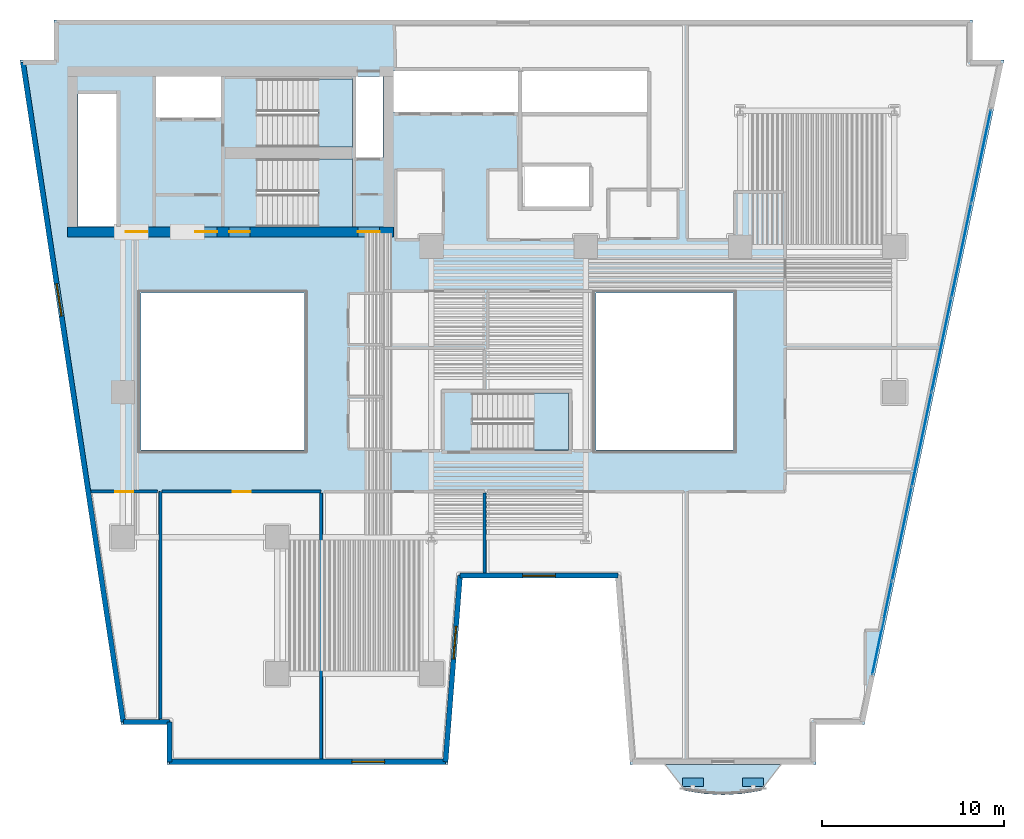
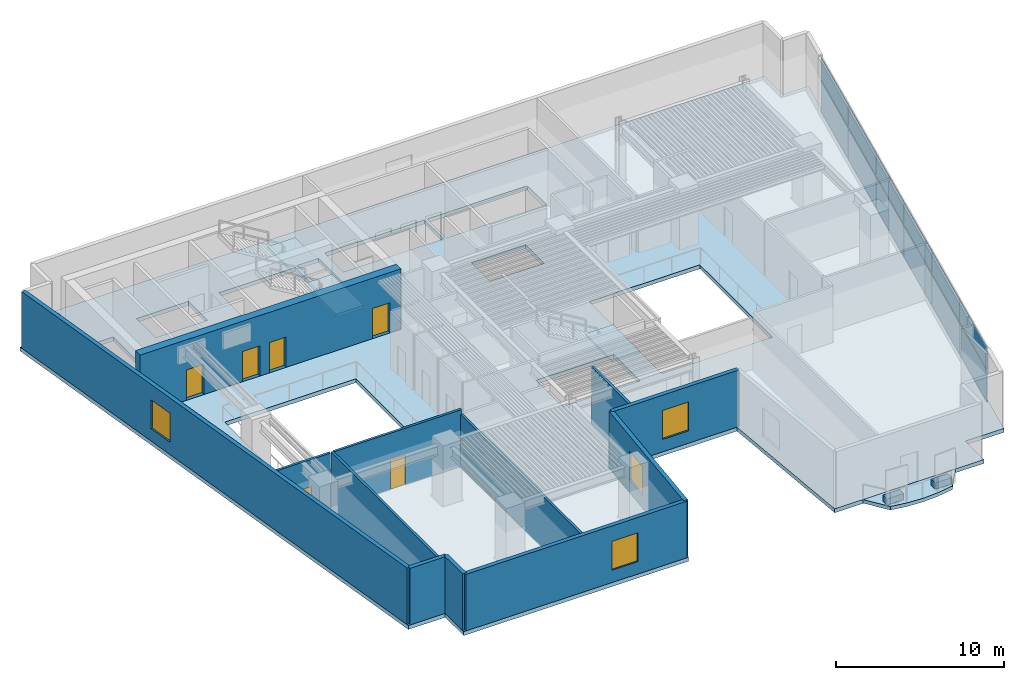
# One storey, part 3 of 12: 14 plates, 12 walls, 6 doors, 5 slabs, 4 windows, 10 openings, 4 elements without a shape of their own.
"""IFC4 building model written with IfcOpenShell, lengths in metres."""

from ifc_helpers import new_model, si_unit, direction, frame, frame_2d, origin, origin_2d, place, context, subcontext, project, spatial, polyline, rectangle, outline, extrude, material, layer, layer_set, type_object, element, fill, aggregate, save


model = new_model("IFC4")

# Units and contexts
model_context = context("Model", 3, precision=1e-05, world=origin(), true_north=direction((0.0, 1.0)))
body_context = subcontext(model_context, "Body", "Model", "MODEL_VIEW")
ifc_project = project(units=[si_unit("LENGTHUNIT", "METRE"), si_unit("AREAUNIT", "SQUARE_METRE"), si_unit("VOLUMEUNIT", "CUBIC_METRE"), si_unit("PLANEANGLEUNIT", "RADIAN"), si_unit("MASSUNIT", "GRAM", prefix="KILO")], contexts=[model_context])

# Site, building, storey
site_placement = place(None, origin())
site = spatial("IfcSite", under=ifc_project, at=site_placement, CompositionType="ELEMENT")
building_placement = place(site_placement, origin())
building = spatial("IfcBuilding", under=site, at=building_placement, Name="Caeloran Harvest Quay", CompositionType="ELEMENT")
storey_placement = place(building_placement, frame((0.0, 0.0, 88.60009765625)))
storey = spatial("IfcBuildingStorey", under=building, at=storey_placement, Name="L20", CompositionType="ELEMENT", Elevation=88.60009765625)

# Slab
ifc_material_1 = material(Name="Concrete C50/60", Category="concrete")
ifc_layer_1 = layer(ifc_material_1, 0.260009765625, Name="Concrete C50/60")
ifc_layer_set_1 = layer_set([ifc_layer_1], Name="Concrete C50/60")
slab_type_1 = type_object("IfcSlabType", Name="BALCONY-BL-260", PredefinedType="FLOOR", material=ifc_layer_set_1)
slab_1_placement = place(storey_placement, frame((0.0, 0.0, -0.260009765625)))
element("IfcSlab", 1, at=slab_1_placement, inside=storey, type_object=slab_type_1, Name="L20 Scalloped Cantilevered Planted Balcony Slab", PredefinedType="FLOOR", context=body_context, shape_type="SweptSolid", body=[
    extrude(outline(polyline([(43.686767578125, 1.053466796875), (42.622802734375, 0.880126953125), (41.55859375, 0.81689453125), (40.494384765625, 0.880126953125), (39.43017578125, 1.053466796875), (38.380615234375, 2.5), (44.736572265625, 2.5), (43.686767578125, 1.053466796875)])), origin(), (0.0, 0.0, 1.0), 0.260009765625),
])

# Curtain wall, plates
ifc_material_2 = material(Name="Aluminium 6063-T6 and Low-E Glazing", Category="aluminium")
ifc_layer_2 = layer(ifc_material_2, 0.199951171875, Name="Aluminium 6063-T6 and Low-E Glazing")
ifc_layer_set_2 = layer_set([ifc_layer_2], Name="Aluminium 6063-T6 and Low-E Glazing")
curtain_wall_type = type_object("IfcCurtainWallType", Name="CW-SYS-CW-2", PredefinedType="USERDEFINED", material=ifc_layer_set_2)
curtain_wall_placement = place(storey_placement, origin())
curtain_wall = element("IfcCurtainWall", 2, at=curtain_wall_placement, inside=storey, type_object=curtain_wall_type, Name="L20 Unitised Curtain Wall CW-2 Run 9", ObjectType="CURTAIN_WALL", PredefinedType="USERDEFINED")
ifc_material_3 = material(Name="Low-E Double Glazed Vision Glass Unit", Category="glass")
ifc_layer_3 = layer(ifc_material_3, 0.035888671875, Name="Low-E Double Glazed Vision Glass Unit")
ifc_layer_set_3 = layer_set([ifc_layer_3], Name="Low-E Double Glazed Vision Glass Unit")
plate_type_1 = type_object("IfcPlateType", Name="CW-VISION-PANEL", PredefinedType="CURTAIN_PANEL", material=ifc_layer_set_3)
plate_1_placement = place(storey_placement, frame((55.780029296875, 35.993408203125, 0.080078125), z_axis=(0.0, 0.0, 1.0), x_axis=(-0.205582960081, -0.978639691881, 0.0)))
plate_1 = element("IfcPlate", 3, at=plate_1_placement, type_object=plate_type_1, Name="CW-2 panel 1.1", PredefinedType="CURTAIN_PANEL", context=body_context, shape_type="SweptSolid", body=[
    extrude(rectangle(XDim=5.19873046875, YDim=0.035888671875, at=origin_2d()), origin(), (0.0, 0.0, 1.0), 2.280029296875),
])
plate_2_placement = place(storey_placement, frame((55.780029296875, 35.993408203125, 2.43994140625), z_axis=(0.0, 0.0, 1.0), x_axis=(-0.205582960081, -0.978639691881, 0.0)))
plate_2 = element("IfcPlate", 4, at=plate_2_placement, type_object=plate_type_1, Name="CW-2 panel 1.2", PredefinedType="CURTAIN_PANEL", context=body_context, shape_type="SweptSolid", body=[
    extrude(rectangle(XDim=5.19873046875, YDim=0.035888671875, at=origin_2d()), origin(), (0.0, 0.0, 1.0), 1.594970703125),
])
plate_3_placement = place(storey_placement, frame((54.690673828125, 30.807861328125, 0.080078125), z_axis=(0.0, 0.0, 1.0), x_axis=(-0.205582960081, -0.978639691881, 0.0)))
plate_3 = element("IfcPlate", 5, at=plate_3_placement, type_object=plate_type_1, Name="CW-2 panel 2.1", PredefinedType="CURTAIN_PANEL", context=body_context, shape_type="SweptSolid", body=[
    extrude(rectangle(XDim=5.23876953125, YDim=0.035888671875, at=origin_2d()), origin(), (0.0, 0.0, 1.0), 2.280029296875),
])
plate_4_placement = place(storey_placement, frame((54.690673828125, 30.807861328125, 2.43994140625), z_axis=(0.0, 0.0, 1.0), x_axis=(-0.205582960081, -0.978639691881, 0.0)))
plate_4 = element("IfcPlate", 6, at=plate_4_placement, type_object=plate_type_1, Name="CW-2 panel 2.2", PredefinedType="CURTAIN_PANEL", context=body_context, shape_type="SweptSolid", body=[
    extrude(rectangle(XDim=5.23876953125, YDim=0.035888671875, at=origin_2d()), origin(), (0.0, 0.0, 1.0), 1.594970703125),
])
plate_5_placement = place(storey_placement, frame((53.59716796875, 25.6025390625, 0.080078125), z_axis=(0.0, 0.0, 1.0), x_axis=(-0.205582960081, -0.978639691881, 0.0)))
plate_5 = element("IfcPlate", 7, at=plate_5_placement, type_object=plate_type_1, Name="CW-2 panel 3.1", PredefinedType="CURTAIN_PANEL", context=body_context, shape_type="SweptSolid", body=[
    extrude(rectangle(XDim=5.23876953125, YDim=0.035888671875, at=origin_2d()), origin(), (0.0, 0.0, 1.0), 2.280029296875),
])
plate_6_placement = place(storey_placement, frame((53.59716796875, 25.6025390625, 2.43994140625), z_axis=(0.0, 0.0, 1.0), x_axis=(-0.205582960081, -0.978639691881, 0.0)))
plate_6 = element("IfcPlate", 8, at=plate_6_placement, type_object=plate_type_1, Name="CW-2 panel 3.2", PredefinedType="CURTAIN_PANEL", context=body_context, shape_type="SweptSolid", body=[
    extrude(rectangle(XDim=5.23876953125, YDim=0.035888671875, at=origin_2d()), origin(), (0.0, 0.0, 1.0), 1.594970703125),
])
plate_7_placement = place(storey_placement, frame((52.503662109375, 20.3974609375, 0.080078125), z_axis=(0.0, 0.0, 1.0), x_axis=(-0.205582960081, -0.978639691881, 0.0)))
plate_7 = element("IfcPlate", 9, at=plate_7_placement, type_object=plate_type_1, Name="CW-2 panel 4.1", PredefinedType="CURTAIN_PANEL", context=body_context, shape_type="SweptSolid", body=[
    extrude(rectangle(XDim=5.23876953125, YDim=0.035888671875, at=origin_2d()), origin(), (0.0, 0.0, 1.0), 2.280029296875),
])
plate_8_placement = place(storey_placement, frame((52.503662109375, 20.3974609375, 2.43994140625), z_axis=(0.0, 0.0, 1.0), x_axis=(-0.205582960081, -0.978639691881, 0.0)))
plate_8 = element("IfcPlate", 10, at=plate_8_placement, type_object=plate_type_1, Name="CW-2 panel 4.2", PredefinedType="CURTAIN_PANEL", context=body_context, shape_type="SweptSolid", body=[
    extrude(rectangle(XDim=5.23876953125, YDim=0.035888671875, at=origin_2d()), origin(), (0.0, 0.0, 1.0), 1.594970703125),
])
plate_9_placement = place(storey_placement, frame((51.41015625, 15.192138671875, 0.080078125), z_axis=(0.0, 0.0, 1.0), x_axis=(-0.205582960081, -0.978639691881, 0.0)))
plate_9 = element("IfcPlate", 11, at=plate_9_placement, type_object=plate_type_1, Name="CW-2 panel 5.1", PredefinedType="CURTAIN_PANEL", context=body_context, shape_type="SweptSolid", body=[
    extrude(rectangle(XDim=5.23876953125, YDim=0.035888671875, at=origin_2d()), origin(), (0.0, 0.0, 1.0), 2.280029296875),
])
plate_10_placement = place(storey_placement, frame((51.41015625, 15.192138671875, 2.43994140625), z_axis=(0.0, 0.0, 1.0), x_axis=(-0.205582960081, -0.978639691881, 0.0)))
plate_10 = element("IfcPlate", 12, at=plate_10_placement, type_object=plate_type_1, Name="CW-2 panel 5.2", PredefinedType="CURTAIN_PANEL", context=body_context, shape_type="SweptSolid", body=[
    extrude(rectangle(XDim=5.23876953125, YDim=0.035888671875, at=origin_2d()), origin(), (0.0, 0.0, 1.0), 1.594970703125),
])
plate_11_placement = place(storey_placement, frame((50.321044921875, 10.006591796875, 0.080078125), z_axis=(0.0, 0.0, 1.0), x_axis=(-0.205582960081, -0.978639691881, 0.0)))
plate_11 = element("IfcPlate", 13, at=plate_11_placement, type_object=plate_type_1, Name="CW-2 panel 6.1", PredefinedType="CURTAIN_PANEL", context=body_context, shape_type="SweptSolid", body=[
    extrude(rectangle(XDim=5.19873046875, YDim=0.035888671875, at=origin_2d()), origin(), (0.0, 0.0, 1.0), 2.280029296875),
])
plate_12_placement = place(storey_placement, frame((50.321044921875, 10.006591796875, 2.43994140625), z_axis=(0.0, 0.0, 1.0), x_axis=(-0.205582960081, -0.978639691881, 0.0)))
plate_12 = element("IfcPlate", 14, at=plate_12_placement, type_object=plate_type_1, Name="CW-2 panel 6.2", PredefinedType="CURTAIN_PANEL", context=body_context, shape_type="SweptSolid", body=[
    extrude(rectangle(XDim=5.19873046875, YDim=0.035888671875, at=origin_2d()), origin(), (0.0, 0.0, 1.0), 1.594970703125),
])
aggregate(curtain_wall, [plate_1, plate_2, plate_3, plate_4, plate_5, plate_6, plate_7, plate_8, plate_9, plate_10, plate_11, plate_12])

# Plates
ifc_material_4 = material(Name="Precast concrete C50/60", Category="concrete")
ifc_layer_4 = layer(ifc_material_4, 0.449951171875, Name="Precast concrete C50/60")
ifc_layer_set_4 = layer_set([ifc_layer_4], Name="Precast concrete C50/60")
plate_type_2 = type_object("IfcPlateType", Name="PLANTER-TROUGH-450", PredefinedType="USERDEFINED", material=ifc_layer_set_4)
for number, where, z_axis, x_axis, name in (
    (15, (43.218505859375, 1.509521484375, 0.0), (0.0, 0.0, 1.0), (1.0, 0.0, 0.0), "L20 Balcony Vertical-Greenery Precast PLANTER Trough 1"),
    (16, (39.8984375, 1.509521484375, 0.0), (0.0, 0.0, 1.0), (1.0, 0.0, 0.0), "L20 Balcony Vertical-Greenery Precast PLANTER Trough 2"),
):
    element("IfcPlate", number, at=place(storey_placement, frame(where, z_axis=z_axis, x_axis=x_axis)), inside=storey, type_object=plate_type_2, Name=name, ObjectType="PLANTER", PredefinedType="USERDEFINED", context=body_context, shape_type="SweptSolid", body=[
        extrude(rectangle(XDim=1.14990234375, YDim=0.47998046875, at=origin_2d()), origin(), (0.0, 0.0, 1.0), 0.449951171875),
    ])

# Slab
ifc_layer_5 = layer(ifc_material_1, 0.284912109375, Name="Concrete C50/60")
ifc_layer_set_5 = layer_set([ifc_layer_5], Name="Concrete C50/60")
slab_type_2 = type_object("IfcSlabType", Name="SLAB-FS-285", PredefinedType="FLOOR", material=ifc_layer_set_5)
slab_2_placement = place(storey_placement, frame((0.0, 0.0, -0.28515625)))
element("IfcSlab", 17, at=slab_2_placement, inside=storey, type_object=slab_type_2, Name="L20 Structural Floor Slab", PredefinedType="FLOOR", context=body_context, shape_type="SweptSolid", body=[
    extrude(outline(polyline([(10.93701171875, 2.5), (26.403076171875, 2.5), (27.202880859375, 12.75), (35.640380859375, 12.75), (36.4404296875, 2.5), (46.68701171875, 2.5), (46.68701171875, 4.699951171875), (49.34912109375, 4.699951171875), (57.037841796875, 41.300048828125), (55.300048828125, 41.300048828125), (55.300048828125, 43.5), (4.699951171875, 43.5), (4.699951171875, 41.300048828125), (2.834716796875, 41.300048828125), (8.40234375, 4.699951171875), (10.93701171875, 4.699951171875), (10.93701171875, 2.5)]), holes=[polyline([(18.5, 19.800048828125), (9.5, 19.800048828125), (9.5, 28.449951171875), (18.5, 28.449951171875), (18.5, 19.800048828125)]), polyline([(15.89990234375, 32.10009765625), (15.89990234375, 35.85009765625), (21.14990234375, 35.85009765625), (21.14990234375, 32.10009765625), (15.89990234375, 32.10009765625)]), polyline([(8.159912109375, 32.1201171875), (6.02001953125, 32.1201171875), (6.02001953125, 39.419921875), (8.159912109375, 39.419921875), (8.159912109375, 32.1201171875)]), polyline([(21.35009765625, 35.919921875), (21.35009765625, 40.3798828125), (22.830078125, 40.3798828125), (22.830078125, 35.919921875), (21.35009765625, 35.919921875)]), polyline([(15.89990234375, 40.25), (21.14990234375, 40.25), (21.14990234375, 36.5), (15.89990234375, 36.5), (15.89990234375, 40.25)]), polyline([(13.89990234375, 38.1201171875), (10.320068359375, 38.1201171875), (10.320068359375, 40.3798828125), (13.89990234375, 40.3798828125), (13.89990234375, 38.1201171875)]), polyline([(27.75, 22.949951171875), (33.050048828125, 22.949951171875), (33.050048828125, 19.800048828125), (27.75, 19.800048828125), (27.75, 22.949951171875)]), polyline([(34.550048828125, 19.800048828125), (34.550048828125, 28.449951171875), (42.14990234375, 28.449951171875), (42.14990234375, 19.800048828125), (34.550048828125, 19.800048828125)]), polyline([(34.199951171875, 33.219970703125), (30.47998046875, 33.219970703125), (30.47998046875, 35.429931640625), (34.199951171875, 35.429931640625), (34.199951171875, 33.219970703125)]), polyline([(23.419921875, 38.419921875), (23.419921875, 40.679931640625), (30.280029296875, 40.679931640625), (30.280029296875, 38.419921875), (23.419921875, 38.419921875)]), polyline([(30.47998046875, 38.419921875), (30.47998046875, 40.679931640625), (37.3798828125, 40.679931640625), (37.3798828125, 38.419921875), (30.47998046875, 38.419921875)])]), origin(), (0.0, 0.0, 1.0), 0.28515625),
])

# Stair, slab
stair_type_1 = type_object("IfcStairType", Name="STAIR-STC-180", PredefinedType="HALF_TURN_STAIR", material=ifc_material_1)
stair_1_placement = place(storey_placement, origin())
stair_1 = element("IfcStair", 18, at=stair_1_placement, inside=storey, type_object=stair_type_1, Name="L20 Core Pressurized Exit Stair ST-C1", PredefinedType="HALF_TURN_STAIR")
ifc_layer_6 = layer(ifc_material_1, 0.219970703125, Name="Concrete C50/60")
ifc_layer_set_6 = layer_set([ifc_layer_6], Name="Concrete C50/60")
slab_type_3 = type_object("IfcSlabType", Name="STAIR-LANDING-220", PredefinedType="LANDING", material=ifc_layer_set_6)
slab_3_placement = place(storey_placement, frame((0.0, 0.0, 2.0)))
slab_3 = element("IfcSlab", 19, at=slab_3_placement, type_object=slab_type_3, Name="ST-C1 landing 1", PredefinedType="LANDING", context=body_context, shape_type="SweptSolid", body=[
    extrude(outline(polyline([(19.260009765625, 36.5), (21.14990234375, 36.5), (21.14990234375, 40.25), (19.260009765625, 40.25), (19.260009765625, 36.5)])), origin(), (0.0, 0.0, 1.0), 0.199951171875),
])
aggregate(stair_1, [slab_3])

stair_2_placement = place(storey_placement, origin())
stair_2 = element("IfcStair", 20, at=stair_2_placement, inside=storey, type_object=stair_type_1, Name="L20 Core Pressurized Exit Stair ST-C2", PredefinedType="HALF_TURN_STAIR")
slab_4_placement = place(storey_placement, frame((0.0, 0.0, 2.0)))
slab_4 = element("IfcSlab", 21, at=slab_4_placement, type_object=slab_type_3, Name="ST-C2 landing 1", PredefinedType="LANDING", context=body_context, shape_type="SweptSolid", body=[
    extrude(outline(polyline([(19.260009765625, 32.10009765625), (21.14990234375, 32.10009765625), (21.14990234375, 35.85009765625), (19.260009765625, 35.85009765625), (19.260009765625, 32.10009765625)])), origin(), (0.0, 0.0, 1.0), 0.199951171875),
])
aggregate(stair_2, [slab_4])

stair_type_2 = type_object("IfcStairType", Name="STAIR-STW-150", PredefinedType="HALF_TURN_STAIR", material=ifc_material_1)
stair_3_placement = place(storey_placement, origin())
stair_3 = element("IfcStair", 22, at=stair_3_placement, inside=storey, type_object=stair_type_2, Name="L20 East Wing Protected Exit Stair ST-W1", PredefinedType="HALF_TURN_STAIR")
slab_5_placement = place(storey_placement, frame((0.0, 0.0, 2.0)))
slab_5 = element("IfcSlab", 23, at=slab_5_placement, type_object=slab_type_3, Name="ST-W1 landing 1", PredefinedType="LANDING", context=body_context, shape_type="SweptSolid", body=[
    extrude(outline(polyline([(31.110107421875, 19.800048828125), (33.050048828125, 19.800048828125), (33.050048828125, 22.949951171875), (31.110107421875, 22.949951171875), (31.110107421875, 19.800048828125)])), origin(), (0.0, 0.0, 1.0), 0.199951171875),
])
aggregate(stair_3, [slab_5])

# Walls
ifc_layer_7 = layer(ifc_material_4, 0.280029296875, Name="Precast concrete C50/60")
ifc_layer_set_7 = layer_set([ifc_layer_7], Name="Precast concrete C50/60")
wall_type_1 = type_object("IfcWallType", Name="ENV-WALL-EW-280", PredefinedType="STANDARD", material=ifc_layer_set_7)
wall_1_placement = place(storey_placement, frame((11.076904296875, 2.639892578125, 0.0), z_axis=(0.0, 0.0, 1.0), x_axis=(0.0, 1.0, 0.0)))
element("IfcWall", 24, at=wall_1_placement, inside=storey, type_object=wall_type_1, Name="L20 Exterior Precast Concrete Facade Wall 1", PredefinedType="STANDARD", context=body_context, shape_type="SweptSolid", body=[
    extrude(rectangle(XDim=2.2001953125, YDim=0.280029296875, at=frame_2d((1.10009765625, 0.0))), origin(), (0.0, 0.0, 1.0), 4.114990234375),
])
wall_2_placement = place(storey_placement, frame((11.076904296875, 4.840087890625, 0.0), z_axis=(0.0, 0.0, 1.0), x_axis=(-1.0, 0.0, 0.0)))
element("IfcWall", 25, at=wall_2_placement, inside=storey, type_object=wall_type_1, Name="L20 Exterior Precast Concrete Facade Wall 2", PredefinedType="STANDARD", context=body_context, shape_type="SweptSolid", body=[
    extrude(rectangle(XDim=2.55419921875, YDim=0.280029296875, at=frame_2d((1.277099609375, 0.0))), origin(), (0.0, 0.0, 1.0), 4.114990234375),
])

# Wall, opening, window
wall_3_placement = place(storey_placement, frame((8.522705078125, 4.840087890625, 0.0), z_axis=(0.0, 0.0, 1.0), x_axis=(-0.150394554312, 0.988626055712, 0.0)))
wall_3 = element("IfcWall", 26, at=wall_3_placement, inside=storey, type_object=wall_type_1, Name="L20 Exterior Precast Concrete Facade Wall 3", PredefinedType="STANDARD", context=body_context, shape_type="SweptSolid", body=[
    extrude(rectangle(XDim=36.73779296875, YDim=0.280029296875, at=frame_2d((18.368896484375, 0.0))), origin(), (0.0, 0.0, 1.0), 4.114990234375),
])
opening_1_placement = place(wall_3_placement, frame((22.612060546875, 0.0, 0.89990234375)))
opening_1 = element("IfcOpeningElement", 27, at=opening_1_placement, cuts=wall_3, Name="Opening W-01", PredefinedType="OPENING", context=body_context, shape_type="SweptSolid", body=[
    extrude(rectangle(XDim=1.800048828125, YDim=2.10009765625, at=frame_2d((0.89990234375, 1.050048828125))), frame((0.0, 0.14990234375, 0.0), z_axis=(0.0, -1.0, 0.0), x_axis=(1.0, 0.0, 0.0)), (0.0, 0.0, 1.0), 0.300048828125),
])
ifc_material_5 = material(Name="Aluminium-Framed Low-E Laminated Glass", Category="aluminium")
window_type = type_object("IfcWindowType", Name="WIN-W-01", PartitioningType="SINGLE_PANEL", PredefinedType="WINDOW", material=ifc_material_5)
window_1_placement = place(opening_1_placement, origin())
window_1 = element("IfcWindow", 28, at=window_1_placement, inside=storey, type_object=window_type, Name="L20 Facade Punched Window W-01", OverallHeight=2.10009765625, OverallWidth=1.800048828125, PartitioningType="SINGLE_PANEL", PredefinedType="WINDOW", context=body_context, shape_type="SweptSolid", body=[
    extrude(rectangle(XDim=1.800048828125, YDim=2.10009765625, at=frame_2d((0.89990234375, 1.050048828125))), frame((0.0, 0.030029296875, 0.0), z_axis=(0.0, -1.0, 0.0), x_axis=(1.0, 0.0, 0.0)), (0.0, 0.0, 1.0), 0.06005859375),
])
fill(opening_1, window_1)

wall_4_placement = place(storey_placement, frame((35.77001953125, 12.889892578125, 0.0), z_axis=(0.0, 0.0, 1.0), x_axis=(-1.0, 0.0, 0.0)))
wall_4 = element("IfcWall", 29, at=wall_4_placement, inside=storey, type_object=wall_type_1, Name="L20 Exterior Precast Concrete Facade Wall 14", PredefinedType="STANDARD", context=body_context, shape_type="SweptSolid", body=[
    extrude(rectangle(XDim=8.696533203125, YDim=0.280029296875, at=frame_2d((4.34814453125, 0.0))), origin(), (0.0, 0.0, 1.0), 4.114990234375),
])
opening_2_placement = place(wall_4_placement, frame((3.447998046875, 0.0, 0.89990234375)))
opening_2 = element("IfcOpeningElement", 30, at=opening_2_placement, cuts=wall_4, Name="Opening W-01", PredefinedType="OPENING", context=body_context, shape_type="SweptSolid", body=[
    extrude(rectangle(XDim=1.800048828125, YDim=2.10009765625, at=frame_2d((0.89990234375, 1.050048828125))), frame((0.0, 0.14990234375, 0.0), z_axis=(0.0, -1.0, 0.0), x_axis=(1.0, 0.0, 0.0)), (0.0, 0.0, 1.0), 0.300048828125),
])
window_2_placement = place(opening_2_placement, origin())
window_2 = element("IfcWindow", 31, at=window_2_placement, inside=storey, type_object=window_type, Name="L20 Facade Punched Window W-01", OverallHeight=2.10009765625, OverallWidth=1.800048828125, PartitioningType="SINGLE_PANEL", PredefinedType="WINDOW", context=body_context, shape_type="SweptSolid", body=[
    extrude(rectangle(XDim=1.800048828125, YDim=2.10009765625, at=frame_2d((0.89990234375, 1.050048828125))), frame((0.0, 0.030029296875, 0.0), z_axis=(0.0, -1.0, 0.0), x_axis=(1.0, 0.0, 0.0)), (0.0, 0.0, 1.0), 0.06005859375),
])
fill(opening_2, window_2)

wall_5_placement = place(storey_placement, frame((27.073486328125, 12.889892578125, 0.0), z_axis=(0.0, 0.0, 1.0), x_axis=(-0.077816860153, -0.996967670627, 0.0)))
wall_5 = element("IfcWall", 32, at=wall_5_placement, inside=storey, type_object=wall_type_1, Name="L20 Exterior Precast Concrete Facade Wall 15", PredefinedType="STANDARD", context=body_context, shape_type="SweptSolid", body=[
    extrude(rectangle(XDim=10.28125, YDim=0.280029296875, at=frame_2d((5.140625, 0.0))), origin(), (0.0, 0.0, 1.0), 4.114990234375),
])
opening_3_placement = place(wall_5_placement, frame((2.801025390625, 0.0, 0.89990234375)))
opening_3 = element("IfcOpeningElement", 33, at=opening_3_placement, cuts=wall_5, Name="Opening W-01", PredefinedType="OPENING", context=body_context, shape_type="SweptSolid", body=[
    extrude(rectangle(XDim=1.800048828125, YDim=2.10009765625, at=frame_2d((0.89990234375, 1.050048828125))), frame((0.0, 0.14990234375, 0.0), z_axis=(0.0, -1.0, 0.0), x_axis=(1.0, 0.0, 0.0)), (0.0, 0.0, 1.0), 0.300048828125),
])
window_3_placement = place(opening_3_placement, origin())
window_3 = element("IfcWindow", 34, at=window_3_placement, inside=storey, type_object=window_type, Name="L20 Facade Punched Window W-01", OverallHeight=2.10009765625, OverallWidth=1.800048828125, PartitioningType="SINGLE_PANEL", PredefinedType="WINDOW", context=body_context, shape_type="SweptSolid", body=[
    extrude(rectangle(XDim=1.800048828125, YDim=2.10009765625, at=frame_2d((0.89990234375, 1.050048828125))), frame((0.0, 0.030029296875, 0.0), z_axis=(0.0, -1.0, 0.0), x_axis=(1.0, 0.0, 0.0)), (0.0, 0.0, 1.0), 0.06005859375),
])
fill(opening_3, window_3)

wall_6_placement = place(storey_placement, frame((26.2734375, 2.639892578125, 0.0), z_axis=(0.0, 0.0, 1.0), x_axis=(-1.0, 0.0, 0.0)))
wall_6 = element("IfcWall", 35, at=wall_6_placement, inside=storey, type_object=wall_type_1, Name="L20 Exterior Precast Concrete Facade Wall 16", PredefinedType="STANDARD", context=body_context, shape_type="SweptSolid", body=[
    extrude(rectangle(XDim=15.196533203125, YDim=0.280029296875, at=frame_2d((7.59814453125, 0.0))), origin(), (0.0, 0.0, 1.0), 4.114990234375),
])
opening_4_placement = place(wall_6_placement, frame((3.35498046875, 0.0, 0.89990234375)))
opening_4 = element("IfcOpeningElement", 36, at=opening_4_placement, cuts=wall_6, Name="Opening W-01", PredefinedType="OPENING", context=body_context, shape_type="SweptSolid", body=[
    extrude(rectangle(XDim=1.800048828125, YDim=2.10009765625, at=frame_2d((0.89990234375, 1.050048828125))), frame((0.0, 0.14990234375, 0.0), z_axis=(0.0, -1.0, 0.0), x_axis=(1.0, 0.0, 0.0)), (0.0, 0.0, 1.0), 0.300048828125),
])
window_4_placement = place(opening_4_placement, origin())
window_4 = element("IfcWindow", 37, at=window_4_placement, inside=storey, type_object=window_type, Name="L20 Facade Punched Window W-01", OverallHeight=2.10009765625, OverallWidth=1.800048828125, PartitioningType="SINGLE_PANEL", PredefinedType="WINDOW", context=body_context, shape_type="SweptSolid", body=[
    extrude(rectangle(XDim=1.800048828125, YDim=2.10009765625, at=frame_2d((0.89990234375, 1.050048828125))), frame((0.0, 0.030029296875, 0.0), z_axis=(0.0, -1.0, 0.0), x_axis=(1.0, 0.0, 0.0)), (0.0, 0.0, 1.0), 0.06005859375),
])
fill(opening_4, window_4)

# Wall
ifc_material_6 = material(Name="Autoclaved Aerated Concrete Blockwork", Category="masonry")
ifc_layer_8 = layer(ifc_material_6, 0.1650390625, Name="Autoclaved Aerated Concrete Blockwork")
ifc_layer_set_8 = layer_set([ifc_layer_8], Name="Autoclaved Aerated Concrete Blockwork")
wall_type_2 = type_object("IfcWallType", Name="INT-WALL-PW-165", PredefinedType="PARTITIONING", material=ifc_layer_set_8)
wall_7_placement = place(storey_placement, frame((10.580078125, 4.985107421875, 0.0), z_axis=(0.0, 0.0, 1.0), x_axis=(0.0, 1.0, 0.0)))
element("IfcWall", 38, at=wall_7_placement, inside=storey, type_object=wall_type_2, Name="Culinary Harvest Tasting Kitchen Partition Wall", PredefinedType="PARTITIONING", context=body_context, shape_type="SweptSolid", body=[
    extrude(rectangle(XDim=12.534912109375, YDim=0.1650390625, at=frame_2d((6.267578125, 0.0))), origin(), (0.0, 0.0, 1.0), 4.114990234375),
])

# Wall, opening, door
wall_8_placement = place(storey_placement, frame((10.66748046875, 17.52001953125, 0.0), z_axis=(0.0, 0.0, 1.0), x_axis=(1.0, 0.0, 0.0)))
wall_8 = element("IfcWall", 39, at=wall_8_placement, inside=storey, type_object=wall_type_2, Name="Culinary Harvest Tasting Kitchen Partition Wall", PredefinedType="PARTITIONING", context=body_context, shape_type="SweptSolid", body=[
    extrude(rectangle(XDim=8.75244140625, YDim=0.1650390625, at=frame_2d((4.376220703125, 0.0))), origin(), (0.0, 0.0, 1.0), 4.114990234375),
])
opening_5_placement = place(wall_8_placement, frame((3.876220703125, 0.0, 0.0)))
opening_5 = element("IfcOpeningElement", 40, at=opening_5_placement, cuts=wall_8, Name="Opening ID-01", PredefinedType="OPENING", context=body_context, shape_type="SweptSolid", body=[
    extrude(rectangle(XDim=1.0, YDim=2.14990234375, at=frame_2d((0.5, 1.074951171875))), frame((0.0, 0.092529296875, 0.0), z_axis=(0.0, -1.0, 0.0), x_axis=(1.0, 0.0, 0.0)), (0.0, 0.0, 1.0), 0.18505859375),
])
ifc_material_7 = material(Name="FSC Solid-Core Ash Timber and Acoustic Seal", Category="wood")
door_type_1 = type_object("IfcDoorType", Name="INTDOOR-ID-01", OperationType="NOTDEFINED", PredefinedType="DOOR", material=ifc_material_7)
door_1_placement = place(opening_5_placement, origin())
door_1 = element("IfcDoor", 41, at=door_1_placement, inside=storey, type_object=door_type_1, Name="Culinary Harvest Tasting Kitchen Access Door", OperationType="SINGLE_SWING_RIGHT", OverallHeight=2.14990234375, OverallWidth=1.0, PredefinedType="DOOR", context=body_context, shape_type="SweptSolid", body=[
    extrude(rectangle(XDim=1.0, YDim=2.14990234375, at=frame_2d((0.5, 1.074951171875))), frame((0.0, 0.02490234375, 0.0), z_axis=(0.0, -1.0, 0.0), x_axis=(1.0, 0.0, 0.0)), (0.0, 0.0, 1.0), 0.050048828125),
])
fill(opening_5, door_1)

# Walls
wall_9_placement = place(storey_placement, frame((19.419921875, 17.4326171875, 0.0), z_axis=(0.0, 0.0, 1.0), x_axis=(0.0, -1.0, 0.0)))
element("IfcWall", 42, at=wall_9_placement, inside=storey, type_object=wall_type_2, Name="Culinary Harvest Tasting Kitchen Partition Wall", PredefinedType="PARTITIONING", context=body_context, shape_type="SweptSolid", body=[
    extrude(rectangle(XDim=14.647705078125, YDim=0.1650390625, at=frame_2d((7.32373046875, 0.0))), origin(), (0.0, 0.0, 1.0), 3.7998046875),
])
wall_10_placement = place(storey_placement, frame((28.419921875, 17.4326171875, 0.0), z_axis=(0.0, 0.0, 1.0), x_axis=(0.0, -1.0, 0.0)))
element("IfcWall", 43, at=wall_10_placement, inside=storey, type_object=wall_type_2, Name="Botanical Workshop Studio Partition Wall", PredefinedType="PARTITIONING", context=body_context, shape_type="SweptSolid", body=[
    extrude(rectangle(XDim=4.397705078125, YDim=0.1650390625, at=frame_2d((2.19873046875, 0.0))), origin(), (0.0, 0.0, 1.0), 4.114990234375),
])

# Wall, opening, door
wall_11_placement = place(storey_placement, frame((6.740478515625, 17.52001953125, 0.0), z_axis=(0.0, 0.0, 1.0), x_axis=(1.0, 0.0, 0.0)))
wall_11 = element("IfcWall", 44, at=wall_11_placement, inside=storey, type_object=wall_type_2, Name="Gastronomy Seminar Room Partition Wall", PredefinedType="PARTITIONING", context=body_context, shape_type="SweptSolid", body=[
    extrude(rectangle(XDim=3.679443359375, YDim=0.1650390625, at=frame_2d((1.83984375, 0.0))), origin(), (0.0, 0.0, 1.0), 4.114990234375),
])
opening_6_placement = place(wall_11_placement, frame((1.33984375, 0.0, 0.0)))
opening_6 = element("IfcOpeningElement", 45, at=opening_6_placement, cuts=wall_11, Name="Opening ID-01", PredefinedType="OPENING", context=body_context, shape_type="SweptSolid", body=[
    extrude(rectangle(XDim=1.0, YDim=2.14990234375, at=frame_2d((0.5, 1.074951171875))), frame((0.0, 0.092529296875, 0.0), z_axis=(0.0, -1.0, 0.0), x_axis=(1.0, 0.0, 0.0)), (0.0, 0.0, 1.0), 0.18505859375),
])
door_2_placement = place(opening_6_placement, origin())
door_2 = element("IfcDoor", 46, at=door_2_placement, inside=storey, type_object=door_type_1, Name="Gastronomy Seminar Room Access Door", OperationType="SINGLE_SWING_LEFT", OverallHeight=2.14990234375, OverallWidth=1.0, PredefinedType="DOOR", context=body_context, shape_type="SweptSolid", body=[
    extrude(rectangle(XDim=1.0, YDim=2.14990234375, at=frame_2d((0.5, 1.074951171875))), frame((0.0, 0.02490234375, 0.0), z_axis=(0.0, -1.0, 0.0), x_axis=(1.0, 0.0, 0.0)), (0.0, 0.0, 1.0), 0.050048828125),
])
fill(opening_6, door_2)

# Wall, openings, doors
ifc_material_8 = material(Name="Concrete C80/95", Category="concrete")
ifc_layer_9 = layer(ifc_material_8, 0.550048828125, Name="Concrete C80/95")
ifc_layer_set_9 = layer_set([ifc_layer_9], Name="Concrete C80/95")
wall_type_3 = type_object("IfcWallType", Name="STR-WALL-CW-550", PredefinedType="SHEAR", material=ifc_layer_set_9)
wall_12_placement = place(storey_placement, frame((5.449951171875, 31.824951171875, 0.0), z_axis=(0.0, 0.0, 1.0), x_axis=(1.0, 0.0, 0.0)))
wall_12 = element("IfcWall", 47, at=wall_12_placement, inside=storey, type_object=wall_type_3, Name="L20 Rear Core Shear Wall S", PredefinedType="SHEAR", context=body_context, shape_type="SweptSolid", body=[
    extrude(rectangle(XDim=17.949951171875, YDim=0.550048828125, at=frame_2d((8.97509765625, 0.0))), origin(), (0.0, 0.0, 1.0), 4.39990234375),
])
opening_7_placement = place(wall_12_placement, frame((3.199951171875, 0.0, 0.0)))
opening_7 = element("IfcOpeningElement", 48, at=opening_7_placement, cuts=wall_12, Name="Opening FD-01", PredefinedType="OPENING", context=body_context, shape_type="SweptSolid", body=[
    extrude(rectangle(XDim=1.199951171875, YDim=2.199951171875, at=frame_2d((0.60009765625, 1.10009765625))), frame((0.0, 0.28515625, 0.0), z_axis=(0.0, -1.0, 0.0), x_axis=(1.0, 0.0, 0.0)), (0.0, 0.0, 1.0), 0.570068359375),
])
opening_8_placement = place(wall_12_placement, frame((7.050048828125, 0.0, 0.0)))
opening_8 = element("IfcOpeningElement", 49, at=opening_8_placement, cuts=wall_12, Name="Opening FD-01", PredefinedType="OPENING", context=body_context, shape_type="SweptSolid", body=[
    extrude(rectangle(XDim=1.199951171875, YDim=2.199951171875, at=frame_2d((0.60009765625, 1.10009765625))), frame((0.0, 0.28515625, 0.0), z_axis=(0.0, -1.0, 0.0), x_axis=(1.0, 0.0, 0.0)), (0.0, 0.0, 1.0), 0.570068359375),
])
opening_9_placement = place(wall_12_placement, frame((8.89990234375, 0.0, 0.0)))
opening_9 = element("IfcOpeningElement", 50, at=opening_9_placement, cuts=wall_12, Name="Opening SD-01", PredefinedType="OPENING", context=body_context, shape_type="SweptSolid", body=[
    extrude(rectangle(XDim=1.14990234375, YDim=2.199951171875, at=frame_2d((0.574951171875, 1.10009765625))), frame((0.0, 0.28515625, 0.0), z_axis=(0.0, -1.0, 0.0), x_axis=(1.0, 0.0, 0.0)), (0.0, 0.0, 1.0), 0.570068359375),
])
opening_10_placement = place(wall_12_placement, frame((16.0, 0.0, 0.0)))
opening_10 = element("IfcOpeningElement", 51, at=opening_10_placement, cuts=wall_12, Name="Opening FD-01", PredefinedType="OPENING", context=body_context, shape_type="SweptSolid", body=[
    extrude(rectangle(XDim=1.199951171875, YDim=2.199951171875, at=frame_2d((0.60009765625, 1.10009765625))), frame((0.0, 0.28515625, 0.0), z_axis=(0.0, -1.0, 0.0), x_axis=(1.0, 0.0, 0.0)), (0.0, 0.0, 1.0), 0.570068359375),
])
ifc_material_9 = material(Name="Steel", Category="steel")
door_type_2 = type_object("IfcDoorType", Name="INTDOOR-FD-01", OperationType="NOTDEFINED", PredefinedType="DOOR", material=ifc_material_9)
door_3_placement = place(opening_7_placement, origin())
door_3 = element("IfcDoor", 52, at=door_3_placement, inside=storey, type_object=door_type_2, Name="L20 High-Rise Lift Lobby Fire Door", OperationType="SINGLE_SWING_RIGHT", OverallHeight=2.199951171875, OverallWidth=1.199951171875, PredefinedType="DOOR", context=body_context, shape_type="SweptSolid", body=[
    extrude(rectangle(XDim=1.199951171875, YDim=2.199951171875, at=frame_2d((0.60009765625, 1.10009765625))), frame((0.0, 0.02490234375, 0.0), z_axis=(0.0, -1.0, 0.0), x_axis=(1.0, 0.0, 0.0)), (0.0, 0.0, 1.0), 0.050048828125),
])
fill(opening_7, door_3)
door_4_placement = place(opening_8_placement, origin())
door_4 = element("IfcDoor", 53, at=door_4_placement, inside=storey, type_object=door_type_2, Name="L20 Firefighting Lobby Vestibule Fire Door", OperationType="SINGLE_SWING_LEFT", OverallHeight=2.199951171875, OverallWidth=1.199951171875, PredefinedType="DOOR", context=body_context, shape_type="SweptSolid", body=[
    extrude(rectangle(XDim=1.199951171875, YDim=2.199951171875, at=frame_2d((0.60009765625, 1.10009765625))), frame((0.0, 0.02490234375, 0.0), z_axis=(0.0, -1.0, 0.0), x_axis=(1.0, 0.0, 0.0)), (0.0, 0.0, 1.0), 0.050048828125),
])
fill(opening_8, door_4)
door_5_placement = place(opening_10_placement, origin())
door_5 = element("IfcDoor", 54, at=door_5_placement, inside=storey, type_object=door_type_2, Name="L20 Service Lift Lobby Fire Door", OperationType="SINGLE_SWING_LEFT", OverallHeight=2.199951171875, OverallWidth=1.199951171875, PredefinedType="DOOR", context=body_context, shape_type="SweptSolid", body=[
    extrude(rectangle(XDim=1.199951171875, YDim=2.199951171875, at=frame_2d((0.60009765625, 1.10009765625))), frame((0.0, 0.02490234375, 0.0), z_axis=(0.0, -1.0, 0.0), x_axis=(1.0, 0.0, 0.0)), (0.0, 0.0, 1.0), 0.050048828125),
])
fill(opening_10, door_5)
door_type_3 = type_object("IfcDoorType", Name="INTDOOR-SD-01", OperationType="NOTDEFINED", PredefinedType="DOOR", material=ifc_material_9)
door_6_placement = place(opening_9_placement, origin())
door_6 = element("IfcDoor", 55, at=door_6_placement, inside=storey, type_object=door_type_3, Name="L20 Protected Stair ST-C2 Exit Door", OperationType="SINGLE_SWING_RIGHT", OverallHeight=2.199951171875, OverallWidth=1.14990234375, PredefinedType="DOOR", context=body_context, shape_type="SweptSolid", body=[
    extrude(rectangle(XDim=1.14990234375, YDim=2.199951171875, at=frame_2d((0.574951171875, 1.10009765625))), frame((0.0, 0.02490234375, 0.0), z_axis=(0.0, -1.0, 0.0), x_axis=(1.0, 0.0, 0.0)), (0.0, 0.0, 1.0), 0.050048828125),
])
fill(opening_9, door_6)

save(model, "model.ifc")
